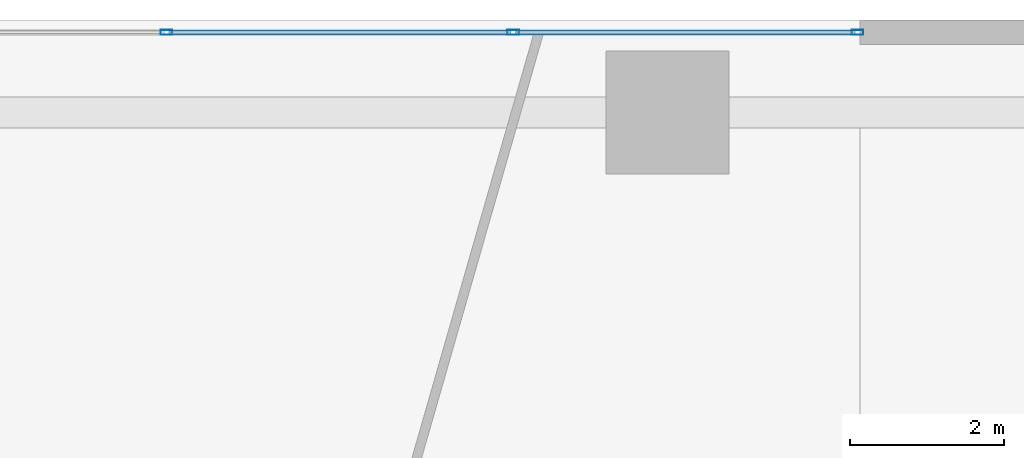
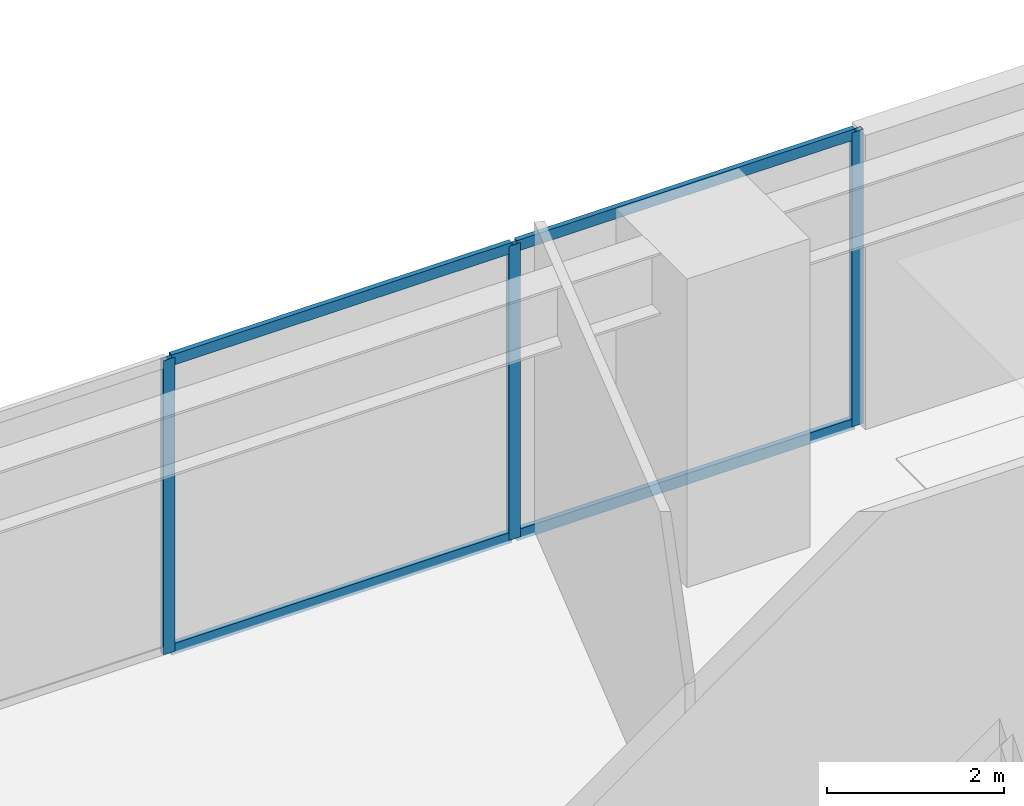
# One storey, part 13 of 25: 7 members, 1 element without a shape of its own.
"""IFC4 building model written with IfcOpenShell, lengths in metres."""

from ifc_helpers import new_model, si_unit, direction, frame, origin, origin_2d, place, context, subcontext, project, spatial, hollow_rectangle, extrude, source, transform, mapped, material, layer, layer_set, material_profile, profile_set, type_object, type_shapes, element, aggregate, save


model = new_model("IFC4")

# Units and contexts
model_context = context("Model", 3, precision=1e-05, world=origin(), true_north=direction((0.0, 1.0)))
body_context = subcontext(model_context, "Body", "Model", "MODEL_VIEW")
ifc_project = project(units=[si_unit("LENGTHUNIT", "METRE"), si_unit("AREAUNIT", "SQUARE_METRE"), si_unit("VOLUMEUNIT", "CUBIC_METRE"), si_unit("PLANEANGLEUNIT", "RADIAN"), si_unit("MASSUNIT", "GRAM", prefix="KILO")], contexts=[model_context])

# Site, building, storey
site_placement = place(None, origin())
site = spatial("IfcSite", under=ifc_project, at=site_placement, CompositionType="ELEMENT")
building_placement = place(site_placement, origin())
building = spatial("IfcBuilding", under=site, at=building_placement, Name="Talar Marvaseh", CompositionType="ELEMENT")
storey_placement = place(building_placement, frame((0.0, 0.0, 14.39990234375)))
storey = spatial("IfcBuildingStorey", under=building, at=storey_placement, Name="L03", CompositionType="ELEMENT", Elevation=14.39990234375)

# Curtain wall, members
ifc_material = material(Name="Architectural Aluminium", Category="aluminium")
ifc_layer = layer(ifc_material, 0.25)
ifc_layer_set = layer_set([ifc_layer], Name="Architectural Aluminium")
curtain_wall_type = type_object("IfcCurtainWallType", Name="Station Podium Monumental Iwan Curtain Wall", PredefinedType="NOTDEFINED", material=ifc_layer_set)
curtain_wall_placement = place(storey_placement, origin())
curtain_wall = element("IfcCurtainWall", 1, at=curtain_wall_placement, inside=storey, type_object=curtain_wall_type, Name="L03 Station Podium Monumental Iwan Curtain Wall", PredefinedType="NOTDEFINED")
ifc_material_profile_1 = material_profile(ifc_material, hollow_rectangle(XDim=0.06494140625, YDim=0.14990234375, WallThickness=0.00390625, at=origin_2d()), Name="RHS150x65x4")
ifc_profile_set_1 = profile_set([ifc_material_profile_1], Name="Architectural Aluminium")
member_type_1 = type_object("IfcMemberType", Name="Unitised Curtain Wall Slim Transom RHS150x65x4", PredefinedType="USERDEFINED", material=ifc_profile_set_1)
shared_shape_1 = source(origin(), body_context, "Body", "SweptSolid", [
    extrude(hollow_rectangle(XDim=0.06494140625, YDim=0.14990234375, WallThickness=0.00390625, at=origin_2d()), origin(), (0.0, 0.0, 1.0), 4.402587890625),
])
member_1_placement = place(storey_placement, frame((31.532470703125, 47.840087890625, 0.03271484375), z_axis=(1.0, 0.0, 0.0), x_axis=(0.0, 1.0, 0.0)))
member_1 = element("IfcMember", 2, at=member_1_placement, type_object=member_type_1, Name="CW-POD transom 4.1", ObjectType="TRANSOM", PredefinedType="USERDEFINED", context=body_context, shape_type="MappedRepresentation", body=[
    mapped(shared_shape_1, transform((0.0, 0.0, 0.0), x_axis=(1.0, 0.0, 0.0), y_axis=(0.0, 1.0, 0.0), z_axis=(0.0, 0.0, 1.0), scale=1.0)),
])
member_2_placement = place(storey_placement, frame((31.532470703125, 47.840087890625, 4.017578125), z_axis=(1.0, 0.0, 0.0), x_axis=(0.0, 1.0, 0.0)))
member_2 = element("IfcMember", 3, at=member_2_placement, type_object=member_type_1, Name="CW-POD transom 4.2", ObjectType="TRANSOM", PredefinedType="USERDEFINED", context=body_context, shape_type="MappedRepresentation", body=[
    mapped(shared_shape_1, transform((0.0, 0.0, 0.0), x_axis=(1.0, 0.0, 0.0), y_axis=(0.0, 1.0, 0.0), z_axis=(0.0, 0.0, 1.0), scale=1.0)),
])
shared_shape_2 = source(origin(), body_context, "Body", "SweptSolid", [
    extrude(hollow_rectangle(XDim=0.06494140625, YDim=0.14990234375, WallThickness=0.00390625, at=origin_2d()), origin(), (0.0, 0.0, 1.0), 4.43505859375),
])
type_shapes(member_type_1, [shared_shape_1, shared_shape_2])
member_3_placement = place(storey_placement, frame((27.032470703125, 47.840087890625, 0.03271484375), z_axis=(1.0, 0.0, 0.0), x_axis=(0.0, 1.0, 0.0)))
member_3 = element("IfcMember", 4, at=member_3_placement, type_object=member_type_1, Name="CW-POD transom 3.1", ObjectType="TRANSOM", PredefinedType="USERDEFINED", context=body_context, shape_type="MappedRepresentation", body=[
    mapped(shared_shape_2, transform((0.0, 0.0, 0.0), x_axis=(1.0, 0.0, 0.0), y_axis=(0.0, 1.0, 0.0), z_axis=(0.0, 0.0, 1.0), scale=1.0)),
])
member_4_placement = place(storey_placement, frame((27.032470703125, 47.840087890625, 4.017578125), z_axis=(1.0, 0.0, 0.0), x_axis=(0.0, 1.0, 0.0)))
member_4 = element("IfcMember", 5, at=member_4_placement, type_object=member_type_1, Name="CW-POD transom 3.2", ObjectType="TRANSOM", PredefinedType="USERDEFINED", context=body_context, shape_type="MappedRepresentation", body=[
    mapped(shared_shape_2, transform((0.0, 0.0, 0.0), x_axis=(1.0, 0.0, 0.0), y_axis=(0.0, 1.0, 0.0), z_axis=(0.0, 0.0, 1.0), scale=1.0)),
])
ifc_material_profile_2 = material_profile(ifc_material, hollow_rectangle(XDim=0.06494140625, YDim=0.14990234375, WallThickness=0.00390625, at=origin_2d()), Name="RHS150x65x4")
ifc_profile_set_2 = profile_set([ifc_material_profile_2], Name="Architectural Aluminium")
member_type_2 = type_object("IfcMemberType", Name="Unitised Curtain Wall Slim Mullion RHS150x65x4", PredefinedType="MULLION", material=ifc_profile_set_2)
shared_shape_3 = source(origin(), body_context, "Body", "SweptSolid", [
    extrude(hollow_rectangle(XDim=0.06494140625, YDim=0.14990234375, WallThickness=0.00390625, at=origin_2d()), origin(), (0.0, 0.0, 1.0), 4.050048828125),
])
type_shapes(member_type_2, [shared_shape_3])
member_5_placement = place(storey_placement, frame((27.0, 47.840087890625, 0.0), z_axis=(0.0, 0.0, 1.0), x_axis=(0.0, 1.0, 0.0)))
member_5 = element("IfcMember", 6, at=member_5_placement, type_object=member_type_2, Name="CW-POD mullion 3", PredefinedType="MULLION", context=body_context, shape_type="MappedRepresentation", body=[
    mapped(shared_shape_3, transform((0.0, 0.0, 0.0), x_axis=(1.0, 0.0, 0.0), y_axis=(0.0, 1.0, 0.0), z_axis=(0.0, 0.0, 1.0), scale=1.0)),
])
member_6_placement = place(storey_placement, frame((31.5, 47.840087890625, 0.0), z_axis=(0.0, 0.0, 1.0), x_axis=(0.0, 1.0, 0.0)))
member_6 = element("IfcMember", 7, at=member_6_placement, type_object=member_type_2, Name="CW-POD mullion 4", PredefinedType="MULLION", context=body_context, shape_type="MappedRepresentation", body=[
    mapped(shared_shape_3, transform((0.0, 0.0, 0.0), x_axis=(1.0, 0.0, 0.0), y_axis=(0.0, 1.0, 0.0), z_axis=(0.0, 0.0, 1.0), scale=1.0)),
])
member_7_placement = place(storey_placement, frame((35.967529296875, 47.840087890625, 0.0), z_axis=(0.0, 0.0, 1.0), x_axis=(0.0, 1.0, 0.0)))
member_7 = element("IfcMember", 8, at=member_7_placement, type_object=member_type_2, Name="CW-POD mullion 5", PredefinedType="MULLION", context=body_context, shape_type="MappedRepresentation", body=[
    mapped(shared_shape_3, transform((0.0, 0.0, 0.0), x_axis=(1.0, 0.0, 0.0), y_axis=(0.0, 1.0, 0.0), z_axis=(0.0, 0.0, 1.0), scale=1.0)),
])
aggregate(curtain_wall, [member_5, member_6, member_7, member_3, member_4, member_1, member_2])

save(model, "model.ifc")
